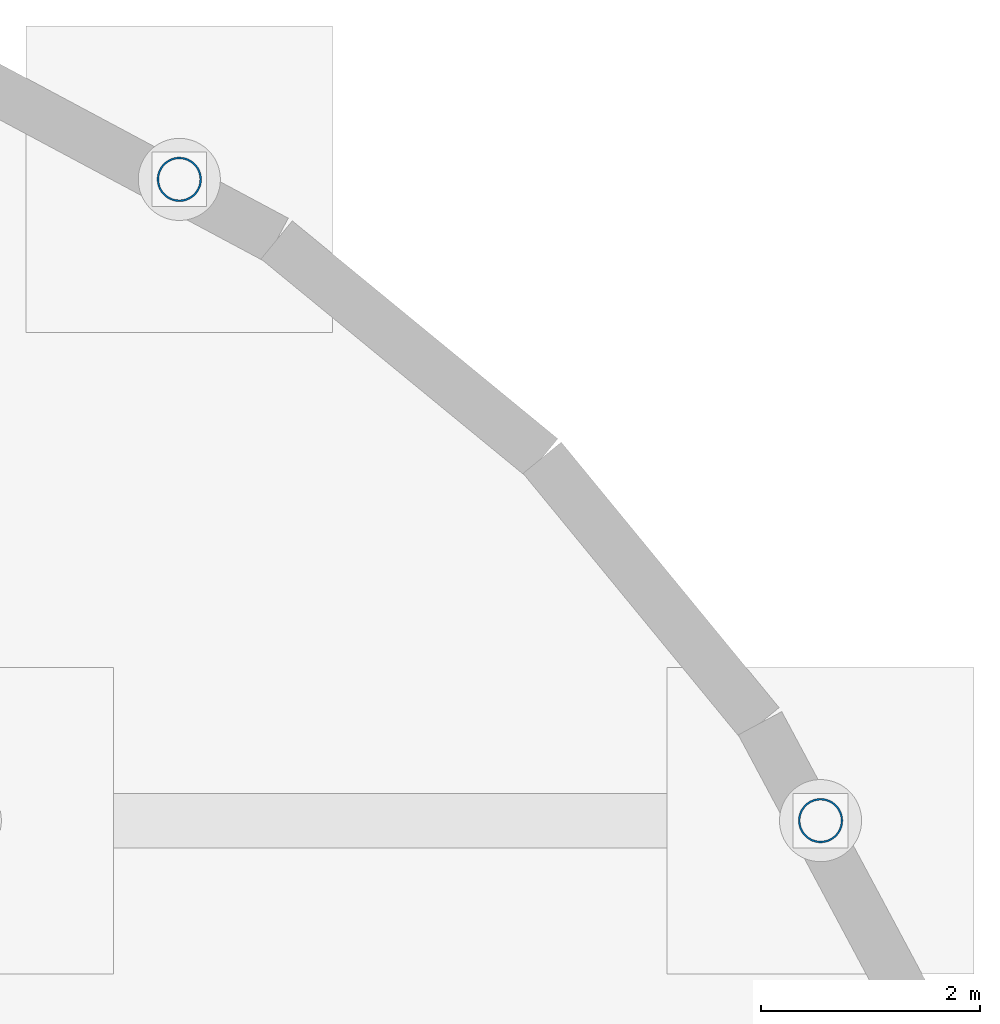
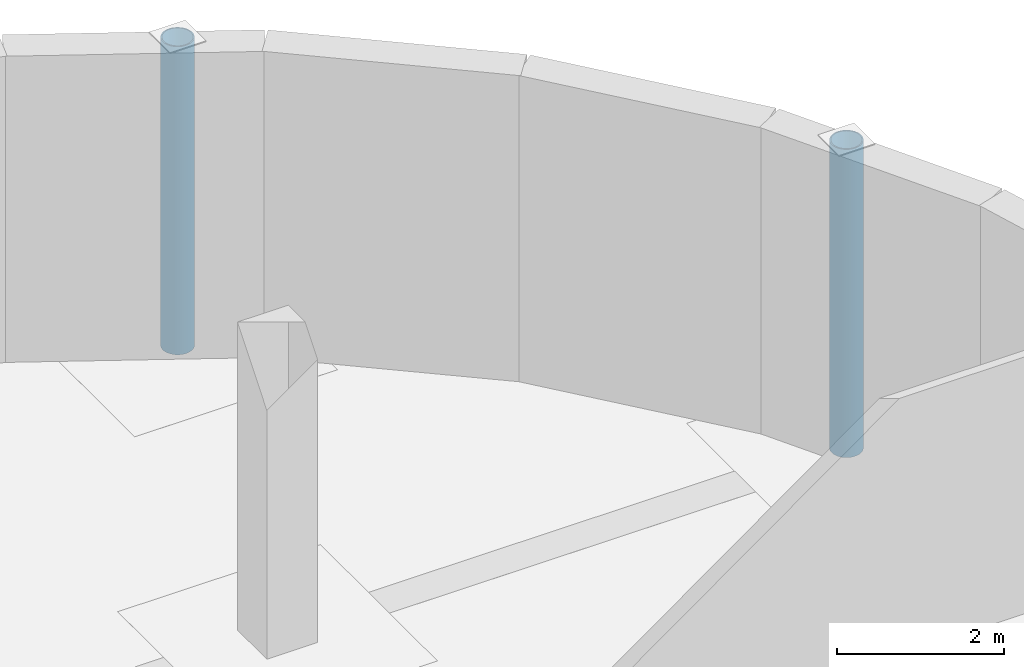
# One storey, part 16 of 29: 2 columns.
"""IFC4 building model written with IfcOpenShell, lengths in metres."""

from ifc_helpers import new_model, si_unit, direction, frame, origin, origin_2d, place, context, subcontext, project, spatial, hollow_circle, extrude, material, material_profile, profile_set, type_object, element, save


model = new_model("IFC4")

# Units and contexts
model_context = context("Model", 3, precision=1e-05, world=origin(), true_north=direction((0.0, 1.0)))
body_context = subcontext(model_context, "Body", "Model", "MODEL_VIEW")
ifc_project = project(units=[si_unit("LENGTHUNIT", "METRE"), si_unit("AREAUNIT", "SQUARE_METRE"), si_unit("VOLUMEUNIT", "CUBIC_METRE"), si_unit("PLANEANGLEUNIT", "RADIAN"), si_unit("MASSUNIT", "GRAM", prefix="KILO")], contexts=[model_context])

# Site, building, storey
site_placement = place(None, origin())
site = spatial("IfcSite", under=ifc_project, at=site_placement, CompositionType="ELEMENT")
building_placement = place(site_placement, origin())
building = spatial("IfcBuilding", under=site, at=building_placement, Name="Drelvana Railside Aquatics Centre", CompositionType="ELEMENT")
storey_placement = place(building_placement, frame((0.0, 0.0, -4.800048828125)))
storey = spatial("IfcBuildingStorey", under=building, at=storey_placement, Name="B1", CompositionType="ELEMENT", Elevation=-4.800048828125)

# Columns
ifc_material = material(Name="Structural steel S355", Category="steel")
ifc_material_profile = material_profile(ifc_material, hollow_circle(Radius=0.203125, WallThickness=0.01611328125, at=origin_2d()), Name="CHS 406.4x16")
ifc_profile_set = profile_set([ifc_material_profile], Name="Structural steel S355")
column_type = type_object("IfcColumnType", Name="STR-SCOL-CHS-406.4x16", PredefinedType="COLUMN", material=ifc_profile_set)
for number, where, z_axis, x_axis, name in (
    (1, (181.8564453125, 96.0, 0.0), (0.0, 0.0, 1.0), (1.0, 0.0, 0.0), "Column SC-06 (B1)"),
    (2, (176.0, 101.8564453125, 0.0), (0.0, 0.0, 1.0), (1.0, 0.0, 0.0), "Column SC-06 (B1)"),
):
    element("IfcColumn", number, at=place(storey_placement, frame(where, z_axis=z_axis, x_axis=x_axis)), inside=storey, type_object=column_type, Name=name, PredefinedType="COLUMN", context=body_context, shape_type="SweptSolid", body=[
        extrude(hollow_circle(Radius=0.203125, WallThickness=0.01611328125, at=origin_2d()), origin(), (0.0, 0.0, 1.0), 4.5),
    ])

save(model, "model.ifc")
